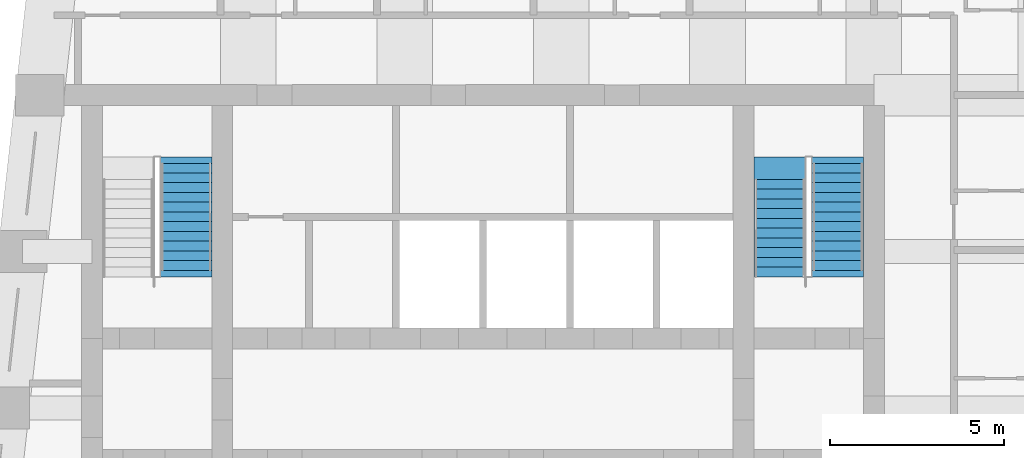
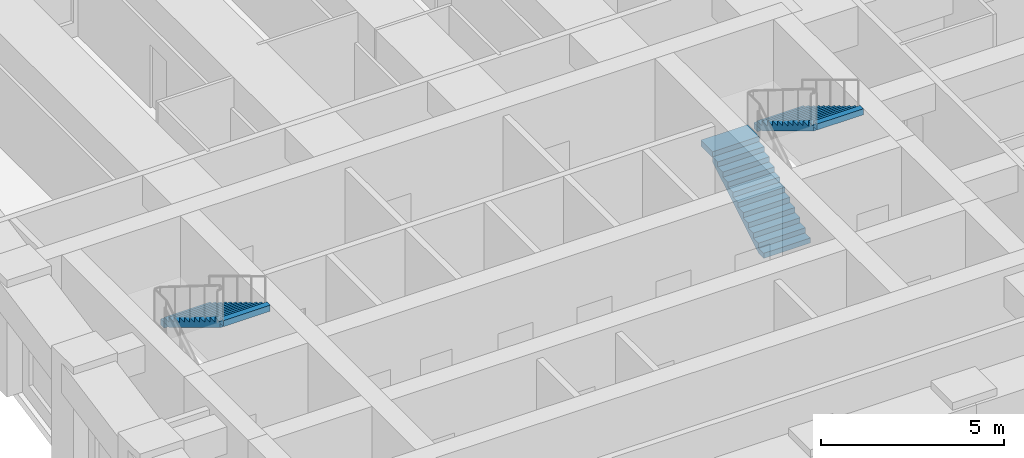
# One storey, part 6 of 7: 3 stair flights, 2 elements without a shape of their own.
"""IFC4 building model written with IfcOpenShell, lengths in metres."""

from ifc_helpers import new_model, si_unit, direction, frame, origin, place, context, subcontext, project, spatial, polyline, outline, extrude, material, type_object, element, aggregate, save


model = new_model("IFC4")

# Units and contexts
model_context = context("Model", 3, precision=1e-05, world=origin(), true_north=direction((0.0, 1.0)))
body_context = subcontext(model_context, "Body", "Model", "MODEL_VIEW")
ifc_project = project(units=[si_unit("LENGTHUNIT", "METRE"), si_unit("AREAUNIT", "SQUARE_METRE"), si_unit("VOLUMEUNIT", "CUBIC_METRE"), si_unit("PLANEANGLEUNIT", "RADIAN"), si_unit("MASSUNIT", "GRAM", prefix="KILO")], contexts=[model_context])

# Site, building, storey
site_placement = place(None, origin())
site = spatial("IfcSite", under=ifc_project, at=site_placement, CompositionType="ELEMENT")
building_placement = place(site_placement, origin())
building = spatial("IfcBuilding", under=site, at=building_placement, Name="Kilele Tower Hotel", CompositionType="ELEMENT")
storey_placement = place(building_placement, frame((0.0, 0.0, 270.199951171875)))
storey = spatial("IfcBuildingStorey", under=building, at=storey_placement, Name="L69", CompositionType="ELEMENT", Elevation=270.199951171875)

# Stair, stair flight
ifc_material_1 = material(Name="Precast concrete C40/50", Category="concrete")
stair_type = type_object("IfcStairType", Name="Stair 1475 x 3900", PredefinedType="HALF_TURN_STAIR", material=ifc_material_1)
stair_1_placement = place(storey_placement, origin())
stair_1 = element("IfcStair", 1, at=stair_1_placement, inside=storey, type_object=stair_type, Name="Stair 1 L69", PredefinedType="HALF_TURN_STAIR")
ifc_material_2 = material(Name="Precast concrete C40/50", Category="concrete")
stair_flight_type = type_object("IfcStairFlightType", Name="Flight 1475 riser 169.6", PredefinedType="STRAIGHT", material=ifc_material_2)
stair_flight_1_placement = place(storey_placement, frame((16.21240234375, 25.0400390625, 1.865234375), z_axis=(0.0, 0.0, 1.0), x_axis=(0.0, -1.0, 0.0)))
stair_flight_1 = element("IfcStairFlight", 2, at=stair_flight_1_placement, type_object=stair_flight_type, Name="ST1 flight 2", NumberOfRisers=12, NumberOfTreads=11, PredefinedType="STRAIGHT", RiserHeight=0.169565217, TreadLength=0.28, context=body_context, shape_type="SweptSolid", body=[
    extrude(outline(polyline([(0.0, 0.0), (0.0, 0.169677734375), (0.280029296875, 0.169677734375), (0.280029296875, 0.339111328125), (0.56005859375, 0.339111328125), (0.56005859375, 0.5087890625), (0.840087890625, 0.5087890625), (0.840087890625, 0.67822265625), (1.1201171875, 0.67822265625), (1.1201171875, 0.847900390625), (1.39990234375, 0.847900390625), (1.39990234375, 1.017333984375), (1.679931640625, 1.017333984375), (1.679931640625, 1.18701171875), (1.9599609375, 1.18701171875), (1.9599609375, 1.3564453125), (2.239990234375, 1.3564453125), (2.239990234375, 1.526123046875), (2.52001953125, 1.526123046875), (2.52001953125, 1.695556640625), (2.800048828125, 1.695556640625), (2.800048828125, 1.865234375), (3.080078125, 1.865234375), (3.080078125, 2.03466796875), (3.080078125, 1.68994140625), (0.289306640625, 0.0), (0.0, 0.0)])), frame((0.0, 0.737548828125, 0.0), z_axis=(0.0, -1.0, 0.0), x_axis=(1.0, 0.0, 0.0)), (0.0, 0.0, 1.0), 1.47509765625),
    extrude(outline(polyline([(0.0, -0.7373046875), (0.0, 0.737548828125), (-0.18505859375, 0.737548828125), (-0.18505859375, -0.7373046875), (0.0, -0.7373046875)])), frame((0.0, 0.0, -0.199951171875)), (0.0, 0.0, 1.0), 0.199951171875),
    extrude(outline(polyline([(3.26513671875, -0.7373046875), (3.26513671875, 0.737548828125), (3.080078125, 0.737548828125), (3.080078125, -0.7373046875), (3.26513671875, -0.7373046875)])), frame((0.0, 0.0, 1.834716796875)), (0.0, 0.0, 1.0), 0.199951171875),
])
aggregate(stair_1, [stair_flight_1])

# Stair, stair flights
stair_2_placement = place(storey_placement, origin())
stair_2 = element("IfcStair", 3, at=stair_2_placement, inside=storey, type_object=stair_type, Name="Stair 2 L69", PredefinedType="HALF_TURN_STAIR")
stair_flight_2_placement = place(storey_placement, frame((33.28759765625, 21.77490234375, 0.0), z_axis=(0.0, 0.0, 1.0), x_axis=(0.0, 1.0, 0.0)))
stair_flight_2 = element("IfcStairFlight", 4, at=stair_flight_2_placement, type_object=stair_flight_type, Name="ST2 flight 1", NumberOfRisers=11, NumberOfTreads=10, PredefinedType="STRAIGHT", RiserHeight=0.169565217, TreadLength=0.28, context=body_context, shape_type="SweptSolid", body=[
    extrude(outline(polyline([(0.0, 0.0), (0.0, 0.169677734375), (0.280029296875, 0.169677734375), (0.280029296875, 0.339111328125), (0.56005859375, 0.339111328125), (0.56005859375, 0.5087890625), (0.840087890625, 0.5087890625), (0.840087890625, 0.67822265625), (1.1201171875, 0.67822265625), (1.1201171875, 0.847900390625), (1.39990234375, 0.847900390625), (1.39990234375, 1.017333984375), (1.679931640625, 1.017333984375), (1.679931640625, 1.18701171875), (1.9599609375, 1.18701171875), (1.9599609375, 1.3564453125), (2.239990234375, 1.3564453125), (2.239990234375, 1.526123046875), (2.52001953125, 1.526123046875), (2.52001953125, 1.695556640625), (2.800048828125, 1.695556640625), (2.800048828125, 1.865234375), (2.800048828125, 1.5205078125), (0.289306640625, 0.0), (0.0, 0.0)])), frame((0.0, 0.737548828125, 0.0), z_axis=(0.0, -1.0, 0.0), x_axis=(1.0, 0.0, 0.0)), (0.0, 0.0, 1.0), 1.47509765625),
    extrude(outline(polyline([(2.800048828125, 0.737548828125), (2.800048828125, -0.7373046875), (3.4501953125, -0.7373046875), (3.4501953125, 0.737548828125), (2.800048828125, 0.737548828125)])), frame((0.0, 0.0, 1.665283203125)), (0.0, 0.0, 1.0), 0.199951171875),
])
stair_flight_3_placement = place(storey_placement, frame((34.96240234375, 25.0400390625, 1.865234375), z_axis=(0.0, 0.0, 1.0), x_axis=(0.0, -1.0, 0.0)))
stair_flight_3 = element("IfcStairFlight", 5, at=stair_flight_3_placement, type_object=stair_flight_type, Name="ST2 flight 2", NumberOfRisers=12, NumberOfTreads=11, PredefinedType="STRAIGHT", RiserHeight=0.169565217, TreadLength=0.28, context=body_context, shape_type="SweptSolid", body=[
    extrude(outline(polyline([(0.0, 0.0), (0.0, 0.169677734375), (0.280029296875, 0.169677734375), (0.280029296875, 0.339111328125), (0.56005859375, 0.339111328125), (0.56005859375, 0.5087890625), (0.840087890625, 0.5087890625), (0.840087890625, 0.67822265625), (1.1201171875, 0.67822265625), (1.1201171875, 0.847900390625), (1.39990234375, 0.847900390625), (1.39990234375, 1.017333984375), (1.679931640625, 1.017333984375), (1.679931640625, 1.18701171875), (1.9599609375, 1.18701171875), (1.9599609375, 1.3564453125), (2.239990234375, 1.3564453125), (2.239990234375, 1.526123046875), (2.52001953125, 1.526123046875), (2.52001953125, 1.695556640625), (2.800048828125, 1.695556640625), (2.800048828125, 1.865234375), (3.080078125, 1.865234375), (3.080078125, 2.03466796875), (3.080078125, 1.68994140625), (0.289306640625, 0.0), (0.0, 0.0)])), frame((0.0, 0.737548828125, 0.0), z_axis=(0.0, -1.0, 0.0), x_axis=(1.0, 0.0, 0.0)), (0.0, 0.0, 1.0), 1.47509765625),
    extrude(outline(polyline([(0.0, -0.7373046875), (0.0, 0.737548828125), (-0.18505859375, 0.737548828125), (-0.18505859375, -0.7373046875), (0.0, -0.7373046875)])), frame((0.0, 0.0, -0.199951171875)), (0.0, 0.0, 1.0), 0.199951171875),
    extrude(outline(polyline([(3.26513671875, -0.7373046875), (3.26513671875, 0.737548828125), (3.080078125, 0.737548828125), (3.080078125, -0.7373046875), (3.26513671875, -0.7373046875)])), frame((0.0, 0.0, 1.834716796875)), (0.0, 0.0, 1.0), 0.199951171875),
])
aggregate(stair_2, [stair_flight_2, stair_flight_3])

save(model, "model.ifc")
